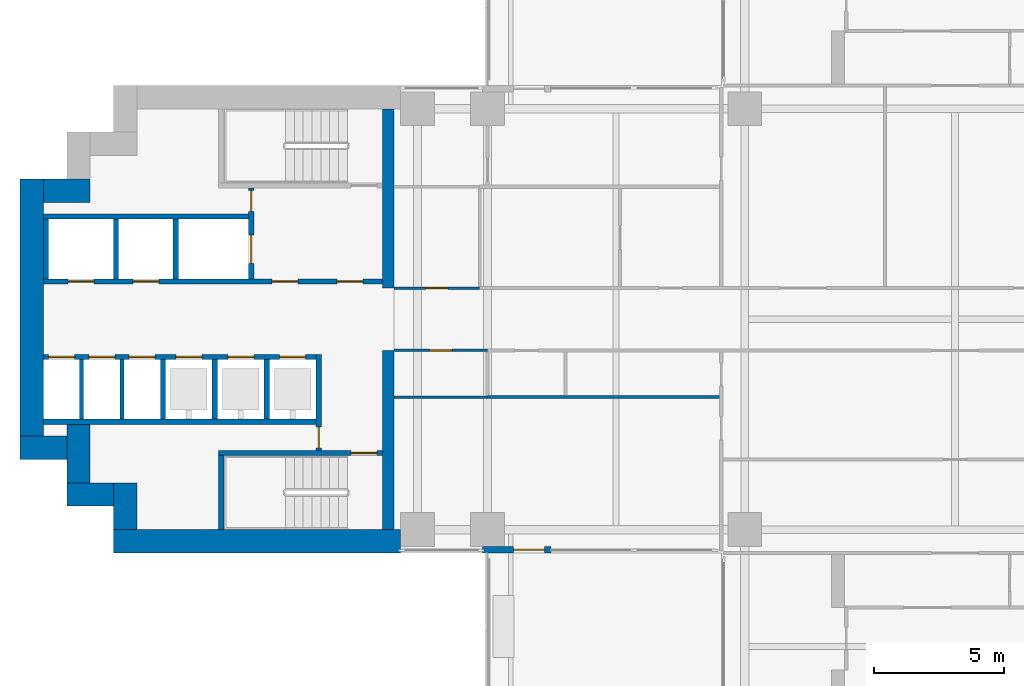
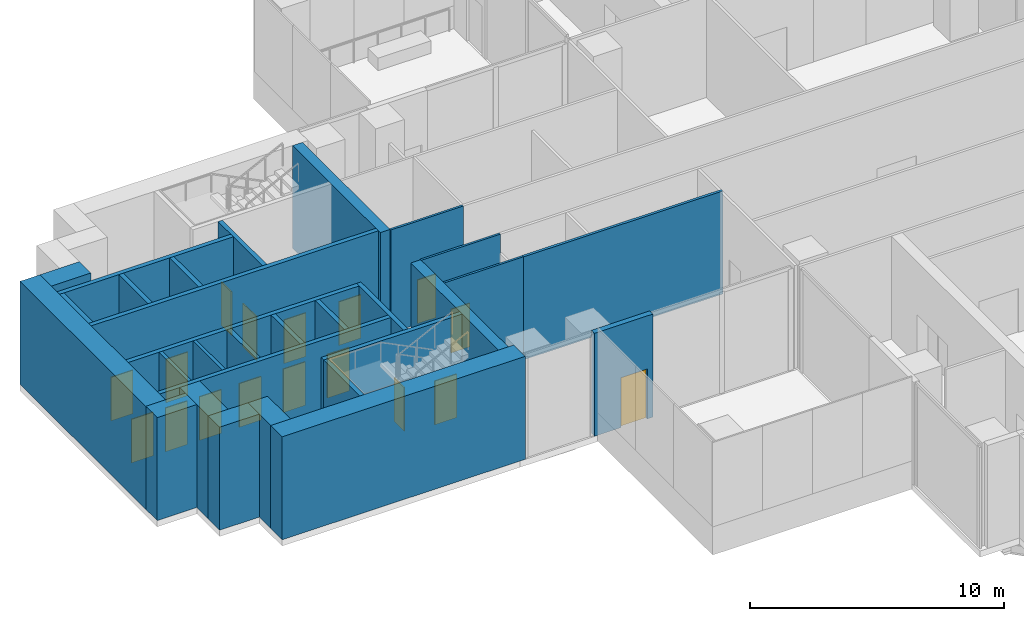
# One storey, part 7 of 17: 30 walls, 17 doors, 17 openings.
"""IFC4 building model written with IfcOpenShell, lengths in metres."""

import ifcopenshell
import ifcopenshell.guid

model = None  # the IFC model being written
_history = None  # IfcOwnerHistory: only IFC2X3 demands one
_inside = {}  # id of a spatial element -> (the spatial element, [elements in it])
_under = {}  # id of a project, library or spatial element -> (it, [spatial elements below it])
_declared = {}  # id of a project -> (the project, [libraries it declares])
_typed = {}  # id of a type object -> (the type object, [elements of that type])
_made_of = {}  # id of a material, layer set ... -> (it, [elements and type objects made of it])


def new_model(schema):
    """Start an empty IFC model of exactly this schema.

    Asked for "IFC4X3", IfcOpenShell would pick the latest addendum, in which some entities
    have other attributes; the version numbers below select the first issue.
    IFC2X3 requires an IfcOwnerHistory on every rooted entity: one is made here for all.
    """
    global model, _history
    if schema == "IFC4X3":
        model = ifcopenshell.file(schema_version=(4, 3, 0, 0))
    else:
        model = ifcopenshell.file(schema=schema)
    _inside.clear()
    _under.clear()
    _declared.clear()
    _typed.clear()
    _made_of.clear()
    _history = None
    if model.schema == "IFC2X3":
        org = make("IfcOrganization", Name="unknown")
        user = make(
            "IfcPersonAndOrganization",
            ThePerson=make("IfcPerson", FamilyName="unknown"),
            TheOrganization=org,
        )
        app = make(
            "IfcApplication",
            ApplicationDeveloper=org,
            Version="unknown",
            ApplicationFullName="unknown",
            ApplicationIdentifier="unknown",
        )
        _history = make(
            "IfcOwnerHistory",
            OwningUser=user,
            OwningApplication=app,
            ChangeAction="ADDED",
            CreationDate=0,
        )
    return model


def make(cls, **values):
    """One entity of the class cls with the attributes given. An attribute that is None is left unset."""
    return model.create_entity(
        cls, **{name: value for name, value in values.items() if value is not None}
    )


def rooted(cls, **values):
    """An entity with a GlobalId (a new one), such as an element, a storey or a relation."""
    return make(cls, GlobalId=ifcopenshell.guid.new(), OwnerHistory=_history, **values)


def si_unit(unit_type, name, prefix=None):
    """IfcSIUnit, for example si_unit("LENGTHUNIT", "METRE", prefix="MILLI")."""
    return make("IfcSIUnit", UnitType=unit_type, Prefix=prefix, Name=name)


def assignment(units):
    """IfcUnitAssignment: the units of a project."""
    return None if units is None else make("IfcUnitAssignment", Units=units)


def point(xyz):
    """IfcCartesianPoint."""
    return None if xyz is None else make("IfcCartesianPoint", Coordinates=xyz)


def direction(xyz):
    """IfcDirection."""
    return None if xyz is None else make("IfcDirection", DirectionRatios=xyz)


def frame(location, z_axis=None, x_axis=None):
    """IfcAxis2Placement3D, a coordinate frame: its origin and axes. An axis left out is left unset."""
    return make(
        "IfcAxis2Placement3D",
        Location=point(location),
        Axis=direction(z_axis),
        RefDirection=direction(x_axis),
    )


def frame_2d(location, x_axis=None):
    """IfcAxis2Placement2D, a coordinate frame in the plane: its origin and x axis."""
    return make(
        "IfcAxis2Placement2D", Location=point(location), RefDirection=direction(x_axis)
    )


def origin():
    """The frame at (0, 0, 0) with its axes left unset."""
    return frame((0.0, 0.0, 0.0))


def place(relative_to, where):
    """IfcLocalPlacement: puts the frame where relative to a parent placement (None: the world)."""
    return make(
        "IfcLocalPlacement", PlacementRelTo=relative_to, RelativePlacement=where
    )


def context(
    kind, dimensions, precision=None, world=None, true_north=None, identifier=None
):
    """IfcGeometricRepresentationContext, for example the 3D "Model" context."""
    return make(
        "IfcGeometricRepresentationContext",
        ContextIdentifier=identifier,
        ContextType=kind,
        CoordinateSpaceDimension=dimensions,
        Precision=precision,
        WorldCoordinateSystem=world,
        TrueNorth=true_north,
    )


def subcontext(parent, identifier, kind, view, scale=None):
    """IfcGeometricRepresentationSubContext, for example "Body" below "Model"."""
    return make(
        "IfcGeometricRepresentationSubContext",
        ContextIdentifier=identifier,
        ContextType=kind,
        ParentContext=parent,
        TargetScale=scale,
        TargetView=view,
    )


def project(units=None, contexts=None):
    """IfcProject with its units and contexts."""
    return rooted(
        "IfcProject",
        Name="project",
        RepresentationContexts=contexts,
        UnitsInContext=assignment(units),
    )


def spatial(cls, under=None, at=None, **own):
    """A site, building, storey or space (cls), placed at a placement, below another one or the project."""
    s = rooted(cls, ObjectPlacement=at, **own)
    if under is not None:
        _under.setdefault(under.id(), (under, []))[1].append(s)
    return s


def profile(cls, at=None, kind="AREA", **sizes):
    """A parametric profile (cls). Its sizes go by their IFC names, for example OverallWidth=200.0."""
    return make(cls, ProfileType=kind, Position=at, **sizes)


def rectangle(**sizes):
    """IfcRectangleProfileDef."""
    return profile("IfcRectangleProfileDef", **sizes)


def extrude(swept, where, along, depth):
    """IfcExtrudedAreaSolid: the profile swept, set in the frame where, extruded along a direction by depth."""
    return make(
        "IfcExtrudedAreaSolid",
        SweptArea=swept,
        Position=where,
        ExtrudedDirection=direction(along),
        Depth=depth,
    )


def shape(context_of_items, identifier, shape_type, items):
    """IfcShapeRepresentation: the items that make up one representation, for example the "Body"."""
    return make(
        "IfcShapeRepresentation",
        ContextOfItems=context_of_items,
        RepresentationIdentifier=identifier,
        RepresentationType=shape_type,
        Items=items,
    )


def material(Name=None, Category=None):
    """IfcMaterial."""
    return make("IfcMaterial", Name=Name, Category=Category)


def layer(
    of_material, thickness, ventilated=None, Name=None, Category=None, Priority=None
):
    """IfcMaterialLayer: one layer of a wall or slab, of a material (None: an air gap)."""
    return make(
        "IfcMaterialLayer",
        Material=of_material,
        LayerThickness=thickness,
        IsVentilated=ventilated,
        Name=Name,
        Category=Category,
        Priority=Priority,
    )


def layer_set(layers, Name=None):
    """IfcMaterialLayerSet."""
    return make("IfcMaterialLayerSet", MaterialLayers=layers, LayerSetName=Name)


def made_of(thing, what):
    """Note that an element or type object is made of a material, layer set ...; save() writes the relation."""
    if what is not None:
        _made_of.setdefault(what.id(), (what, []))[1].append(thing)
    return thing


def type_object(cls, material=None, **own):
    """A type object (cls), such as IfcWallType, which elements share."""
    return made_of(rooted(cls, **own), material)


def element(
    cls,
    number,
    at=None,
    inside=None,
    cuts=None,
    type_object=None,
    material=None,
    context=None,
    identifier="Body",
    shape_type=None,
    held_by="IfcProductDefinitionShape",
    body=None,
    shapes=None,
    **own,
):
    """One element of the class cls, such as IfcWall. Its Tag is "e" and its number.

    at: its placement. inside: the storey or other place that contains it. cuts: it is an
    opening in that element (IfcRelVoidsElement). A single representation is given by context,
    identifier, shape_type and body (its items); several are given by shapes. held_by: the class
    of the entity that holds the representations. save() writes the other relations.
    """
    e = rooted(cls, Tag="e%d" % number, ObjectPlacement=at, **own)
    if body is not None:
        shapes = [shape(context, identifier, shape_type, body)]
    if shapes is not None:
        e.Representation = make(held_by, Representations=shapes)
    if inside is not None:
        _inside.setdefault(inside.id(), (inside, []))[1].append(e)
    if cuts is not None:
        rooted(
            "IfcRelVoidsElement", RelatingBuildingElement=cuts, RelatedOpeningElement=e
        )
    if type_object is not None:
        _typed.setdefault(type_object.id(), (type_object, []))[1].append(e)
    return made_of(e, material)


def fill(opening, filler):
    """IfcRelFillsElement: the door or window that sits in an opening."""
    return rooted(
        "IfcRelFillsElement",
        RelatingOpeningElement=opening,
        RelatedBuildingElement=filler,
    )


def aggregate(whole, parts):
    """IfcRelAggregates: a whole, such as a stair, and the parts it consists of."""
    return rooted("IfcRelAggregates", RelatingObject=whole, RelatedObjects=parts)


def save(model, path):
    """Write the relations noted so far, then the file.

    IfcRelAggregates (storeys below a building ...), IfcRelContainedInSpatialStructure (elements
    in a storey), IfcRelDefinesByType, IfcRelAssociatesMaterial and IfcRelDeclares: one each for
    every whole, place, type object, material and project.
    """
    for whole, parts in _under.values():
        aggregate(whole, parts)
    for where, things in _inside.values():
        rooted(
            "IfcRelContainedInSpatialStructure",
            RelatedElements=things,
            RelatingStructure=where,
        )
    for kind, things in _typed.values():
        rooted("IfcRelDefinesByType", RelatedObjects=things, RelatingType=kind)
    for what, things in _made_of.values():
        rooted("IfcRelAssociatesMaterial", RelatedObjects=things, RelatingMaterial=what)
    for by, libraries in _declared.values():
        rooted("IfcRelDeclares", RelatingContext=by, RelatedDefinitions=libraries)
    model.write(path)


model = new_model("IFC4")

# Units and contexts
model_context = context("Model", 3, precision=1e-05, world=origin(), true_north=direction((0.0, 1.0)))
body_context = subcontext(model_context, "Body", "Model", "MODEL_VIEW")
ifc_project = project(units=[si_unit("LENGTHUNIT", "METRE"), si_unit("AREAUNIT", "SQUARE_METRE"), si_unit("VOLUMEUNIT", "CUBIC_METRE"), si_unit("PLANEANGLEUNIT", "RADIAN"), si_unit("MASSUNIT", "GRAM", prefix="KILO")], contexts=[model_context])

# Site, building, storey
site_placement = place(None, origin())
site = spatial("IfcSite", under=ifc_project, at=site_placement, CompositionType="ELEMENT")
building_placement = place(site_placement, origin())
building = spatial("IfcBuilding", under=site, at=building_placement, Name="Perihelion Cross Residences", CompositionType="ELEMENT")
storey_placement = place(building_placement, frame((0.0, 0.0, 92.5)))
storey = spatial("IfcBuildingStorey", under=building, at=storey_placement, Name="L21", CompositionType="ELEMENT", Elevation=92.5)

# Wall, opening, door
ifc_material_1 = material(Name="Concrete C30/37, bronze-clad", Category="concrete")
ifc_layer_1 = layer(ifc_material_1, 0.25)
ifc_layer_set_1 = layer_set([ifc_layer_1], Name="Bronze-clad pier wall 250")
wall_type_1 = type_object("IfcWallType", Name="Bronze-clad pier wall 250", PredefinedType="SOLIDWALL", material=ifc_layer_set_1)
wall_1_placement = place(storey_placement, frame((-18.199951171875, -8.875, 0.0), z_axis=(0.0, 0.0, 1.0), x_axis=(1.0, 0.0, 0.0)))
wall_1 = element("IfcWall", 1, at=wall_1_placement, inside=storey, type_object=wall_type_1, Name="Wall FW1 L21 west side south bay 2 pier", PredefinedType="SOLIDWALL", context=body_context, shape_type="SweptSolid", body=[
    extrude(rectangle(XDim=2.64990234375, YDim=0.25, at=frame_2d((1.324951171875, 0.0))), origin(), (0.0, 0.0, 1.0), 4.949951171875),
])
opening_1_placement = place(wall_1_placement, frame((1.199951171875, 0.0, 0.0)))
opening_1 = element("IfcOpeningElement", 2, at=opening_1_placement, cuts=wall_1, Name="Opening L21.E05", PredefinedType="OPENING", context=body_context, shape_type="SweptSolid", body=[
    extrude(rectangle(XDim=1.199951171875, YDim=2.39990234375, at=frame_2d((0.60009765625, 1.199951171875))), frame((0.0, 0.135009765625, 0.0), z_axis=(0.0, -1.0, 0.0), x_axis=(1.0, 0.0, 0.0)), (0.0, 0.0, 1.0), 0.27001953125),
])
ifc_material_2 = material(Name="Bronze anodised aluminium, glazed", Category="aluminium")
door_type_1 = type_object("IfcDoorType", Name="Balcony door 1200 x 2400", OperationType="NOTDEFINED", PredefinedType="DOOR", material=ifc_material_2)
door_1_placement = place(opening_1_placement, origin())
door_1 = element("IfcDoor", 3, at=door_1_placement, inside=storey, type_object=door_type_1, Name="Door L21.E05 west side south bay 2", OperationType="SINGLE_SWING_RIGHT", OverallHeight=2.39990234375, OverallWidth=1.199951171875, PredefinedType="DOOR", context=body_context, shape_type="SweptSolid", body=[
    extrude(rectangle(XDim=1.199951171875, YDim=2.39990234375, at=frame_2d((0.60009765625, 1.199951171875))), frame((0.0, 0.02490234375, 0.0), z_axis=(0.0, -1.0, 0.0), x_axis=(1.0, 0.0, 0.0)), (0.0, 0.0, 1.0), 0.050048828125),
])
fill(opening_1, door_1)

# Walls
ifc_material_3 = material(Name="Concrete C60/75", Category="concrete")
ifc_layer_2 = layer(ifc_material_3, 0.449951171875)
ifc_layer_set_2 = layer_set([ifc_layer_2], Name="Core wall, inner 450")
wall_type_2 = type_object("IfcWallType", Name="Core wall, inner 450", PredefinedType="SHEAR", material=ifc_layer_set_2)
for number, where, z_axis, x_axis, name in (
    (4, (-21.824951171875, -8.10009765625, 0.0), (0.0, 0.0, 1.0), (0.0, 1.0, 0.0), "West core core wall, inner"),
    (5, (-21.824951171875, 1.199951171875, 0.0), (0.0, 0.0, 1.0), (0.0, 1.0, 0.0), "West core core wall, inner"),
):
    element("IfcWall", number, at=place(storey_placement, frame(where, z_axis=z_axis, x_axis=x_axis)), inside=storey, type_object=wall_type_2, Name=name, PredefinedType="SHEAR", context=body_context, shape_type="SweptSolid", body=[
        extrude(rectangle(XDim=6.900146484375, YDim=0.449951171875, at=frame_2d((3.4501953125, 0.0))), origin(), (0.0, 0.0, 1.0), 4.949951171875),
    ])
ifc_material_4 = material(Name="Concrete C60/75", Category="concrete")
ifc_layer_3 = layer(ifc_material_4, 0.89990234375)
ifc_layer_set_3 = layer_set([ifc_layer_3], Name="Core wall, outer 900")
wall_type_3 = type_object("IfcWallType", Name="Core wall, outer 900", PredefinedType="SHEAR", material=ifc_layer_set_3)
wall_2_placement = place(storey_placement, frame((-32.39990234375, -8.550048828125, 0.0), z_axis=(0.0, 0.0, 1.0), x_axis=(1.0, 0.0, 0.0)))
element("IfcWall", 6, at=wall_2_placement, inside=storey, type_object=wall_type_3, Name="West core core wall, outer", PredefinedType="SHEAR", context=body_context, shape_type="SweptSolid", body=[
    extrude(rectangle(XDim=11.0498046875, YDim=0.89990234375, at=frame_2d((5.52490234375, 0.0))), origin(), (0.0, 0.0, 1.0), 4.949951171875),
])
for number, where, z_axis, x_axis, name in (
    (7, (-31.949951171875, -8.10009765625, 0.0), (0.0, 0.0, 1.0), (0.0, 1.0, 0.0), "West core core wall, outer"),
    (8, (-34.199951171875, -6.75, 0.0), (0.0, 0.0, 1.0), (1.0, 0.0, 0.0), "West core core wall, outer"),
):
    element("IfcWall", number, at=place(storey_placement, frame(where, z_axis=z_axis, x_axis=x_axis)), inside=storey, type_object=wall_type_3, Name=name, PredefinedType="SHEAR", context=body_context, shape_type="SweptSolid", body=[
        extrude(rectangle(XDim=1.800048828125, YDim=0.89990234375, at=frame_2d((0.89990234375, 0.0))), origin(), (0.0, 0.0, 1.0), 4.949951171875),
    ])
wall_3_placement = place(storey_placement, frame((-33.75, -6.300048828125, 0.0), z_axis=(0.0, 0.0, 1.0), x_axis=(0.0, 1.0, 0.0)))
element("IfcWall", 9, at=wall_3_placement, inside=storey, type_object=wall_type_3, Name="West core core wall, outer", PredefinedType="SHEAR", context=body_context, shape_type="SweptSolid", body=[
    extrude(rectangle(XDim=2.25, YDim=0.89990234375, at=frame_2d((1.125, 0.0))), origin(), (0.0, 0.0, 1.0), 4.949951171875),
])
wall_4_placement = place(storey_placement, frame((-36.0, -4.949951171875, 0.0), z_axis=(0.0, 0.0, 1.0), x_axis=(1.0, 0.0, 0.0)))
element("IfcWall", 10, at=wall_4_placement, inside=storey, type_object=wall_type_3, Name="West core core wall, outer", PredefinedType="SHEAR", context=body_context, shape_type="SweptSolid", body=[
    extrude(rectangle(XDim=1.800048828125, YDim=0.89990234375, at=frame_2d((0.89990234375, 0.0))), origin(), (0.0, 0.0, 1.0), 4.949951171875),
])
wall_5_placement = place(storey_placement, frame((-35.550048828125, -4.5, 0.0), z_axis=(0.0, 0.0, 1.0), x_axis=(0.0, 1.0, 0.0)))
element("IfcWall", 11, at=wall_5_placement, inside=storey, type_object=wall_type_3, Name="West core core wall, outer", PredefinedType="SHEAR", context=body_context, shape_type="SweptSolid", body=[
    extrude(rectangle(XDim=9.89990234375, YDim=0.89990234375, at=frame_2d((4.949951171875, 0.0))), origin(), (0.0, 0.0, 1.0), 4.949951171875),
])
wall_6_placement = place(storey_placement, frame((-35.10009765625, 4.949951171875, 0.0), z_axis=(0.0, 0.0, 1.0), x_axis=(1.0, 0.0, 0.0)))
element("IfcWall", 12, at=wall_6_placement, inside=storey, type_object=wall_type_3, Name="West core core wall, outer", PredefinedType="SHEAR", context=body_context, shape_type="SweptSolid", body=[
    extrude(rectangle(XDim=1.800048828125, YDim=0.89990234375, at=frame_2d((0.89990234375, 0.0))), origin(), (0.0, 0.0, 1.0), 4.949951171875),
])

# Wall, opening, door
ifc_material_5 = material(Name="Concrete C50/60", Category="concrete")
ifc_layer_4 = layer(ifc_material_5, 0.199951171875)
ifc_layer_set_4 = layer_set([ifc_layer_4], Name="Lobby wall 200")
wall_type_4 = type_object("IfcWallType", Name="Lobby wall 200", PredefinedType="SOLIDWALL", material=ifc_layer_set_4)
wall_7_placement = place(storey_placement, frame((-24.5, -5.050048828125, 0.0), z_axis=(0.0, 0.0, 1.0), x_axis=(0.0, 1.0, 0.0)))
wall_7 = element("IfcWall", 13, at=wall_7_placement, inside=storey, type_object=wall_type_4, Name="West core lobby wall", PredefinedType="SOLIDWALL", context=body_context, shape_type="SweptSolid", body=[
    extrude(rectangle(XDim=3.699951171875, YDim=0.199951171875, at=frame_2d((1.85009765625, 0.0))), origin(), (0.0, 0.0, 1.0), 4.949951171875),
])
opening_2_placement = place(wall_7_placement, frame((0.10009765625, 0.0, 0.0)))
opening_2 = element("IfcOpeningElement", 14, at=opening_2_placement, cuts=wall_7, Name="Opening L21.C28", PredefinedType="OPENING", context=body_context, shape_type="SweptSolid", body=[
    extrude(rectangle(XDim=0.800048828125, YDim=2.10009765625, at=frame_2d((0.39990234375, 1.050048828125))), frame((0.0, 0.10986328125, 0.0), z_axis=(0.0, -1.0, 0.0), x_axis=(1.0, 0.0, 0.0)), (0.0, 0.0, 1.0), 0.219970703125),
])
ifc_material_6 = material(Name="Steel, powder coated", Category="steel")
door_type_2 = type_object("IfcDoorType", Name="Riser door 800", OperationType="SINGLE_SWING_LEFT", PredefinedType="DOOR", material=ifc_material_6)
door_2_placement = place(opening_2_placement, origin())
door_2 = element("IfcDoor", 15, at=door_2_placement, inside=storey, type_object=door_type_2, Name="West core riser door", OperationType="SINGLE_SWING_LEFT", OverallHeight=2.10009765625, OverallWidth=0.800048828125, PredefinedType="DOOR", context=body_context, shape_type="SweptSolid", body=[
    extrude(rectangle(XDim=0.800048828125, YDim=2.10009765625, at=frame_2d((0.39990234375, 1.050048828125))), frame((0.0, 0.02490234375, 0.0), z_axis=(0.0, -1.0, 0.0), x_axis=(1.0, 0.0, 0.0)), (0.0, 0.0, 1.0), 0.050048828125),
])
fill(opening_2, door_2)

# Walls
ifc_material_7 = material(Name="Plasterboard partition")
ifc_layer_5 = layer(ifc_material_7, 0.1201171875)
ifc_layer_set_5 = layer_set([ifc_layer_5], Name="Partition wall 120")
wall_type_5 = type_object("IfcWallType", Name="Partition wall 120", PredefinedType="PARTITIONING", material=ifc_layer_set_5)
wall_8_placement = place(storey_placement, frame((-18.0, -3.0, 0.0), z_axis=(0.0, 0.0, 1.0), x_axis=(1.0, 0.0, 0.0)))
element("IfcWall", 16, at=wall_8_placement, inside=storey, type_object=wall_type_5, Name="Partition L21 W034", PredefinedType="PARTITIONING", context=body_context, shape_type="SweptSolid", body=[
    extrude(rectangle(XDim=9.06005859375, YDim=0.1201171875, at=frame_2d((4.530029296875, 0.0))), origin(), (0.0, 0.0, 1.0), 4.949951171875),
])
ifc_material_8 = material(Name="Concrete C50/60", Category="concrete")
ifc_layer_6 = layer(ifc_material_8, 0.14990234375)
ifc_layer_set_6 = layer_set([ifc_layer_6], Name="Shaft wall 150")
wall_type_6 = type_object("IfcWallType", Name="Shaft wall 150", PredefinedType="SOLIDWALL", material=ifc_layer_set_6)
for number, where, z_axis, x_axis, name in (
    (17, (-32.074951171875, -3.85009765625, 0.0), (0.0, 0.0, 1.0), (0.0, 1.0, 0.0), "West core shaft wall"),
    (18, (-33.625, -3.85009765625, 0.0), (0.0, 0.0, 1.0), (0.0, 1.0, 0.0), "West core shaft wall"),
):
    element("IfcWall", number, at=place(storey_placement, frame(where, z_axis=z_axis, x_axis=x_axis)), inside=storey, type_object=wall_type_6, Name=name, PredefinedType="SOLIDWALL", context=body_context, shape_type="SweptSolid", body=[
        extrude(rectangle(XDim=2.300048828125, YDim=0.14990234375, at=frame_2d((1.14990234375, 0.0))), origin(), (0.0, 0.0, 1.0), 4.949951171875),
    ])

# Wall, openings, doors
ifc_material_9 = material(Name="Concrete C50/60", Category="concrete")
ifc_layer_7 = layer(ifc_material_9, 0.199951171875)
ifc_layer_set_7 = layer_set([ifc_layer_7], Name="Shaft wall 200")
wall_type_7 = type_object("IfcWallType", Name="Shaft wall 200", PredefinedType="SOLIDWALL", material=ifc_layer_set_7)
wall_9_placement = place(storey_placement, frame((-35.10009765625, 1.449951171875, 0.0), z_axis=(0.0, 0.0, 1.0), x_axis=(1.0, 0.0, 0.0)))
wall_9 = element("IfcWall", 19, at=wall_9_placement, inside=storey, type_object=wall_type_7, Name="West core shaft wall", PredefinedType="SOLIDWALL", context=body_context, shape_type="SweptSolid", body=[
    extrude(rectangle(XDim=13.050048828125, YDim=0.199951171875, at=frame_2d((6.52490234375, 0.0))), origin(), (0.0, 0.0, 1.0), 4.949951171875),
])
opening_3_placement = place(wall_9_placement, frame((3.449951171875, 0.0, 0.0)))
opening_3 = element("IfcOpeningElement", 20, at=opening_3_placement, cuts=wall_9, Name="Opening L21.C20", PredefinedType="OPENING", context=body_context, shape_type="SweptSolid", body=[
    extrude(rectangle(XDim=1.0, YDim=2.10009765625, at=frame_2d((0.5, 1.050048828125))), frame((0.0, 0.10986328125, 0.0), z_axis=(0.0, -1.0, 0.0), x_axis=(1.0, 0.0, 0.0)), (0.0, 0.0, 1.0), 0.219970703125),
])
opening_4_placement = place(wall_9_placement, frame((0.949951171875, 0.0, 0.0)))
opening_4 = element("IfcOpeningElement", 21, at=opening_4_placement, cuts=wall_9, Name="Opening L21.C23", PredefinedType="OPENING", context=body_context, shape_type="SweptSolid", body=[
    extrude(rectangle(XDim=1.0, YDim=2.10009765625, at=frame_2d((0.5, 1.050048828125))), frame((0.0, 0.10986328125, 0.0), z_axis=(0.0, -1.0, 0.0), x_axis=(1.0, 0.0, 0.0)), (0.0, 0.0, 1.0), 0.219970703125),
])
opening_5_placement = place(wall_9_placement, frame((11.300048828125, 0.0, 0.0)))
opening_5 = element("IfcOpeningElement", 22, at=opening_5_placement, cuts=wall_9, Name="Opening L21.C27", PredefinedType="OPENING", context=body_context, shape_type="SweptSolid", body=[
    extrude(rectangle(XDim=1.0, YDim=2.10009765625, at=frame_2d((0.5, 1.050048828125))), frame((0.0, 0.10986328125, 0.0), z_axis=(0.0, -1.0, 0.0), x_axis=(1.0, 0.0, 0.0)), (0.0, 0.0, 1.0), 0.219970703125),
])
opening_6_placement = place(wall_9_placement, frame((8.800048828125, 0.0, 0.0)))
opening_6 = element("IfcOpeningElement", 23, at=opening_6_placement, cuts=wall_9, Name="Opening L21.C29", PredefinedType="OPENING", context=body_context, shape_type="SweptSolid", body=[
    extrude(rectangle(XDim=1.0, YDim=2.10009765625, at=frame_2d((0.5, 1.050048828125))), frame((0.0, 0.10986328125, 0.0), z_axis=(0.0, -1.0, 0.0), x_axis=(1.0, 0.0, 0.0)), (0.0, 0.0, 1.0), 0.219970703125),
])
ifc_material_10 = material(Name="Stainless steel", Category="steel")
door_type_3 = type_object("IfcDoorType", Name="Landing door 1000", OperationType="DOUBLE_DOOR_SLIDING", PredefinedType="DOOR", material=ifc_material_10)
door_3_placement = place(opening_3_placement, origin())
door_3 = element("IfcDoor", 24, at=door_3_placement, inside=storey, type_object=door_type_3, Name="Landing door, West core shuttle lift 1", OperationType="DOUBLE_DOOR_SLIDING", OverallHeight=2.10009765625, OverallWidth=1.0, PredefinedType="DOOR", context=body_context, shape_type="SweptSolid", body=[
    extrude(rectangle(XDim=1.0, YDim=2.10009765625, at=frame_2d((0.5, 1.050048828125))), frame((0.0, 0.02490234375, 0.0), z_axis=(0.0, -1.0, 0.0), x_axis=(1.0, 0.0, 0.0)), (0.0, 0.0, 1.0), 0.050048828125),
])
fill(opening_3, door_3)
door_4_placement = place(opening_4_placement, origin())
door_4 = element("IfcDoor", 25, at=door_4_placement, inside=storey, type_object=door_type_3, Name="Landing door, West core shuttle lift 2", OperationType="DOUBLE_DOOR_SLIDING", OverallHeight=2.10009765625, OverallWidth=1.0, PredefinedType="DOOR", context=body_context, shape_type="SweptSolid", body=[
    extrude(rectangle(XDim=1.0, YDim=2.10009765625, at=frame_2d((0.5, 1.050048828125))), frame((0.0, 0.02490234375, 0.0), z_axis=(0.0, -1.0, 0.0), x_axis=(1.0, 0.0, 0.0)), (0.0, 0.0, 1.0), 0.050048828125),
])
fill(opening_4, door_4)
ifc_material_11 = material(Name="Steel, powder coated", Category="steel")
door_type_4 = type_object("IfcDoorType", Name="Lobby door 1000", OperationType="SINGLE_SWING_LEFT", PredefinedType="DOOR", material=ifc_material_11)
door_5_placement = place(opening_5_placement, origin())
door_5 = element("IfcDoor", 26, at=door_5_placement, inside=storey, type_object=door_type_4, Name="West core firefighting lobby door", OperationType="SINGLE_SWING_LEFT", OverallHeight=2.10009765625, OverallWidth=1.0, PredefinedType="DOOR", context=body_context, shape_type="SweptSolid", body=[
    extrude(rectangle(XDim=1.0, YDim=2.10009765625, at=frame_2d((0.5, 1.050048828125))), frame((0.0, 0.02490234375, 0.0), z_axis=(0.0, -1.0, 0.0), x_axis=(1.0, 0.0, 0.0)), (0.0, 0.0, 1.0), 0.050048828125),
])
fill(opening_5, door_5)
door_6_placement = place(opening_6_placement, origin())
door_6 = element("IfcDoor", 27, at=door_6_placement, inside=storey, type_object=door_type_4, Name="West core firefighting lobby door", OperationType="SINGLE_SWING_LEFT", OverallHeight=2.10009765625, OverallWidth=1.0, PredefinedType="DOOR", context=body_context, shape_type="SweptSolid", body=[
    extrude(rectangle(XDim=1.0, YDim=2.10009765625, at=frame_2d((0.5, 1.050048828125))), frame((0.0, 0.02490234375, 0.0), z_axis=(0.0, -1.0, 0.0), x_axis=(1.0, 0.0, 0.0)), (0.0, 0.0, 1.0), 0.050048828125),
])
fill(opening_6, door_6)

wall_10_placement = place(storey_placement, frame((-35.10009765625, -1.449951171875, 0.0), z_axis=(0.0, 0.0, 1.0), x_axis=(1.0, 0.0, 0.0)))
wall_10 = element("IfcWall", 28, at=wall_10_placement, inside=storey, type_object=wall_type_7, Name="West core shaft wall", PredefinedType="SOLIDWALL", context=body_context, shape_type="SweptSolid", body=[
    extrude(rectangle(XDim=10.5, YDim=0.199951171875, at=frame_2d((5.25, 0.0))), origin(), (0.0, 0.0, 1.0), 4.949951171875),
])
opening_7_placement = place(wall_10_placement, frame((9.10009765625, 0.0, 0.0)))
opening_7 = element("IfcOpeningElement", 29, at=opening_7_placement, cuts=wall_10, Name="Opening L21.C16", PredefinedType="OPENING", context=body_context, shape_type="SweptSolid", body=[
    extrude(rectangle(XDim=1.0, YDim=2.10009765625, at=frame_2d((0.5, 1.050048828125))), frame((0.0, 0.10986328125, 0.0), z_axis=(0.0, -1.0, 0.0), x_axis=(1.0, 0.0, 0.0)), (0.0, 0.0, 1.0), 0.219970703125),
])
opening_8_placement = place(wall_10_placement, frame((7.10009765625, 0.0, 0.0)))
opening_8 = element("IfcOpeningElement", 30, at=opening_8_placement, cuts=wall_10, Name="Opening L21.C18", PredefinedType="OPENING", context=body_context, shape_type="SweptSolid", body=[
    extrude(rectangle(XDim=1.0, YDim=2.10009765625, at=frame_2d((0.5, 1.050048828125))), frame((0.0, 0.10986328125, 0.0), z_axis=(0.0, -1.0, 0.0), x_axis=(1.0, 0.0, 0.0)), (0.0, 0.0, 1.0), 0.219970703125),
])
opening_9_placement = place(wall_10_placement, frame((5.10009765625, 0.0, 0.0)))
opening_9 = element("IfcOpeningElement", 31, at=opening_9_placement, cuts=wall_10, Name="Opening L21.C19", PredefinedType="OPENING", context=body_context, shape_type="SweptSolid", body=[
    extrude(rectangle(XDim=1.0, YDim=2.10009765625, at=frame_2d((0.5, 1.050048828125))), frame((0.0, 0.10986328125, 0.0), z_axis=(0.0, -1.0, 0.0), x_axis=(1.0, 0.0, 0.0)), (0.0, 0.0, 1.0), 0.219970703125),
])
opening_10_placement = place(wall_10_placement, frame((3.300048828125, 0.0, 0.0)))
opening_10 = element("IfcOpeningElement", 32, at=opening_10_placement, cuts=wall_10, Name="Opening L21.C21", PredefinedType="OPENING", context=body_context, shape_type="SweptSolid", body=[
    extrude(rectangle(XDim=1.0, YDim=2.10009765625, at=frame_2d((0.5, 1.050048828125))), frame((0.0, 0.10986328125, 0.0), z_axis=(0.0, -1.0, 0.0), x_axis=(1.0, 0.0, 0.0)), (0.0, 0.0, 1.0), 0.219970703125),
])
opening_11_placement = place(wall_10_placement, frame((1.75, 0.0, 0.0)))
opening_11 = element("IfcOpeningElement", 33, at=opening_11_placement, cuts=wall_10, Name="Opening L21.C22", PredefinedType="OPENING", context=body_context, shape_type="SweptSolid", body=[
    extrude(rectangle(XDim=1.0, YDim=2.10009765625, at=frame_2d((0.5, 1.050048828125))), frame((0.0, 0.10986328125, 0.0), z_axis=(0.0, -1.0, 0.0), x_axis=(1.0, 0.0, 0.0)), (0.0, 0.0, 1.0), 0.219970703125),
])
opening_12_placement = place(wall_10_placement, frame((0.199951171875, 0.0, 0.0)))
opening_12 = element("IfcOpeningElement", 34, at=opening_12_placement, cuts=wall_10, Name="Opening L21.C24", PredefinedType="OPENING", context=body_context, shape_type="SweptSolid", body=[
    extrude(rectangle(XDim=1.0, YDim=2.10009765625, at=frame_2d((0.5, 1.050048828125))), frame((0.0, 0.10986328125, 0.0), z_axis=(0.0, -1.0, 0.0), x_axis=(1.0, 0.0, 0.0)), (0.0, 0.0, 1.0), 0.219970703125),
])
door_7_placement = place(opening_7_placement, origin())
door_7 = element("IfcDoor", 35, at=door_7_placement, inside=storey, type_object=door_type_3, Name="Landing door, West core high-rise lift 1", OperationType="DOUBLE_DOOR_SLIDING", OverallHeight=2.10009765625, OverallWidth=1.0, PredefinedType="DOOR", context=body_context, shape_type="SweptSolid", body=[
    extrude(rectangle(XDim=1.0, YDim=2.10009765625, at=frame_2d((0.5, 1.050048828125))), frame((0.0, 0.02490234375, 0.0), z_axis=(0.0, -1.0, 0.0), x_axis=(1.0, 0.0, 0.0)), (0.0, 0.0, 1.0), 0.050048828125),
])
fill(opening_7, door_7)
door_8_placement = place(opening_8_placement, origin())
door_8 = element("IfcDoor", 36, at=door_8_placement, inside=storey, type_object=door_type_3, Name="Landing door, West core high-rise lift 2", OperationType="DOUBLE_DOOR_SLIDING", OverallHeight=2.10009765625, OverallWidth=1.0, PredefinedType="DOOR", context=body_context, shape_type="SweptSolid", body=[
    extrude(rectangle(XDim=1.0, YDim=2.10009765625, at=frame_2d((0.5, 1.050048828125))), frame((0.0, 0.02490234375, 0.0), z_axis=(0.0, -1.0, 0.0), x_axis=(1.0, 0.0, 0.0)), (0.0, 0.0, 1.0), 0.050048828125),
])
fill(opening_8, door_8)
door_9_placement = place(opening_9_placement, origin())
door_9 = element("IfcDoor", 37, at=door_9_placement, inside=storey, type_object=door_type_3, Name="Landing door, West core high-rise lift 3", OperationType="DOUBLE_DOOR_SLIDING", OverallHeight=2.10009765625, OverallWidth=1.0, PredefinedType="DOOR", context=body_context, shape_type="SweptSolid", body=[
    extrude(rectangle(XDim=1.0, YDim=2.10009765625, at=frame_2d((0.5, 1.050048828125))), frame((0.0, 0.02490234375, 0.0), z_axis=(0.0, -1.0, 0.0), x_axis=(1.0, 0.0, 0.0)), (0.0, 0.0, 1.0), 0.050048828125),
])
fill(opening_9, door_9)
door_10_placement = place(opening_10_placement, origin())
door_10 = element("IfcDoor", 38, at=door_10_placement, inside=storey, type_object=door_type_3, Name="Landing door, West core low-rise lift 1", OperationType="DOUBLE_DOOR_SLIDING", OverallHeight=2.10009765625, OverallWidth=1.0, PredefinedType="DOOR", context=body_context, shape_type="SweptSolid", body=[
    extrude(rectangle(XDim=1.0, YDim=2.10009765625, at=frame_2d((0.5, 1.050048828125))), frame((0.0, 0.02490234375, 0.0), z_axis=(0.0, -1.0, 0.0), x_axis=(1.0, 0.0, 0.0)), (0.0, 0.0, 1.0), 0.050048828125),
])
fill(opening_10, door_10)
door_11_placement = place(opening_11_placement, origin())
door_11 = element("IfcDoor", 39, at=door_11_placement, inside=storey, type_object=door_type_3, Name="Landing door, West core low-rise lift 2", OperationType="DOUBLE_DOOR_SLIDING", OverallHeight=2.10009765625, OverallWidth=1.0, PredefinedType="DOOR", context=body_context, shape_type="SweptSolid", body=[
    extrude(rectangle(XDim=1.0, YDim=2.10009765625, at=frame_2d((0.5, 1.050048828125))), frame((0.0, 0.02490234375, 0.0), z_axis=(0.0, -1.0, 0.0), x_axis=(1.0, 0.0, 0.0)), (0.0, 0.0, 1.0), 0.050048828125),
])
fill(opening_11, door_11)
door_12_placement = place(opening_12_placement, origin())
door_12 = element("IfcDoor", 40, at=door_12_placement, inside=storey, type_object=door_type_3, Name="Landing door, West core low-rise lift 3", OperationType="DOUBLE_DOOR_SLIDING", OverallHeight=2.10009765625, OverallWidth=1.0, PredefinedType="DOOR", context=body_context, shape_type="SweptSolid", body=[
    extrude(rectangle(XDim=1.0, YDim=2.10009765625, at=frame_2d((0.5, 1.050048828125))), frame((0.0, 0.02490234375, 0.0), z_axis=(0.0, -1.0, 0.0), x_axis=(1.0, 0.0, 0.0)), (0.0, 0.0, 1.0), 0.050048828125),
])
fill(opening_12, door_12)

# Walls
wall_11_placement = place(storey_placement, frame((-35.10009765625, 3.949951171875, 0.0), z_axis=(0.0, 0.0, 1.0), x_axis=(1.0, 0.0, 0.0)))
element("IfcWall", 41, at=wall_11_placement, inside=storey, type_object=wall_type_7, Name="West core shaft wall", PredefinedType="SOLIDWALL", context=body_context, shape_type="SweptSolid", body=[
    extrude(rectangle(XDim=7.900146484375, YDim=0.199951171875, at=frame_2d((3.9501953125, 0.0))), origin(), (0.0, 0.0, 1.0), 4.949951171875),
])
wall_12_placement = place(storey_placement, frame((-35.10009765625, -3.949951171875, 0.0), z_axis=(0.0, 0.0, 1.0), x_axis=(1.0, 0.0, 0.0)))
element("IfcWall", 42, at=wall_12_placement, inside=storey, type_object=wall_type_7, Name="West core shaft wall", PredefinedType="SOLIDWALL", context=body_context, shape_type="SweptSolid", body=[
    extrude(rectangle(XDim=10.5, YDim=0.199951171875, at=frame_2d((5.25, 0.0))), origin(), (0.0, 0.0, 1.0), 4.949951171875),
])

# Wall, openings, doors
wall_13_placement = place(storey_placement, frame((-27.10009765625, 1.550048828125, 0.0), z_axis=(0.0, 0.0, 1.0), x_axis=(0.0, 1.0, 0.0)))
wall_13 = element("IfcWall", 43, at=wall_13_placement, inside=storey, type_object=wall_type_7, Name="West core shaft wall", PredefinedType="SOLIDWALL", context=body_context, shape_type="SweptSolid", body=[
    extrude(rectangle(XDim=3.5, YDim=0.199951171875, at=frame_2d((1.75, 0.0))), origin(), (0.0, 0.0, 1.0), 4.949951171875),
])
opening_13_placement = place(wall_13_placement, frame((0.60009765625, 0.0, 0.0)))
opening_13 = element("IfcOpeningElement", 44, at=opening_13_placement, cuts=wall_13, Name="Opening L21.C17", PredefinedType="OPENING", context=body_context, shape_type="SweptSolid", body=[
    extrude(rectangle(XDim=1.10009765625, YDim=2.10009765625, at=frame_2d((0.550048828125, 1.050048828125))), frame((0.0, 0.10986328125, 0.0), z_axis=(0.0, -1.0, 0.0), x_axis=(1.0, 0.0, 0.0)), (0.0, 0.0, 1.0), 0.219970703125),
])
opening_14_placement = place(wall_13_placement, frame((2.60009765625, 0.0, 0.0)))
opening_14 = element("IfcOpeningElement", 45, at=opening_14_placement, cuts=wall_13, Name="Opening L21.C30", PredefinedType="OPENING", context=body_context, shape_type="SweptSolid", body=[
    extrude(rectangle(XDim=0.800048828125, YDim=2.10009765625, at=frame_2d((0.39990234375, 1.050048828125))), frame((0.0, 0.10986328125, 0.0), z_axis=(0.0, -1.0, 0.0), x_axis=(1.0, 0.0, 0.0)), (0.0, 0.0, 1.0), 0.219970703125),
])
ifc_material_12 = material(Name="Stainless steel", Category="steel")
door_type_5 = type_object("IfcDoorType", Name="Landing door, firefighting lift 1100", OperationType="DOUBLE_DOOR_SLIDING", PredefinedType="DOOR", material=ifc_material_12)
door_13_placement = place(opening_13_placement, origin())
door_13 = element("IfcDoor", 46, at=door_13_placement, inside=storey, type_object=door_type_5, Name="Landing door, West core firefighting and service lift", OperationType="DOUBLE_DOOR_SLIDING", OverallHeight=2.10009765625, OverallWidth=1.10009765625, PredefinedType="DOOR", context=body_context, shape_type="SweptSolid", body=[
    extrude(rectangle(XDim=1.10009765625, YDim=2.10009765625, at=frame_2d((0.550048828125, 1.050048828125))), frame((0.0, 0.02490234375, 0.0), z_axis=(0.0, -1.0, 0.0), x_axis=(1.0, 0.0, 0.0)), (0.0, 0.0, 1.0), 0.050048828125),
])
fill(opening_13, door_13)
door_14_placement = place(opening_14_placement, origin())
door_14 = element("IfcDoor", 47, at=door_14_placement, inside=storey, type_object=door_type_2, Name="West core riser door", OperationType="SINGLE_SWING_LEFT", OverallHeight=2.10009765625, OverallWidth=0.800048828125, PredefinedType="DOOR", context=body_context, shape_type="SweptSolid", body=[
    extrude(rectangle(XDim=0.800048828125, YDim=2.10009765625, at=frame_2d((0.39990234375, 1.050048828125))), frame((0.0, 0.02490234375, 0.0), z_axis=(0.0, -1.0, 0.0), x_axis=(1.0, 0.0, 0.0)), (0.0, 0.0, 1.0), 0.050048828125),
])
fill(opening_14, door_14)

# Walls
for number, where, z_axis, x_axis, name in (
    (48, (-30.0, 1.550048828125, 0.0), (0.0, 0.0, 1.0), (0.0, 1.0, 0.0), "West core shaft wall"),
    (49, (-32.300048828125, 1.550048828125, 0.0), (0.0, 0.0, 1.0), (0.0, 1.0, 0.0), "West core shaft wall"),
    (50, (-35.0, 1.550048828125, 0.0), (0.0, 0.0, 1.0), (0.0, 1.0, 0.0), "West core shaft wall"),
    (51, (-26.5, -3.85009765625, 0.0), (0.0, 0.0, 1.0), (0.0, 1.0, 0.0), "West core shaft wall"),
    (52, (-28.5, -3.85009765625, 0.0), (0.0, 0.0, 1.0), (0.0, 1.0, 0.0), "West core shaft wall"),
    (53, (-30.5, -3.85009765625, 0.0), (0.0, 0.0, 1.0), (0.0, 1.0, 0.0), "West core shaft wall"),
):
    element("IfcWall", number, at=place(storey_placement, frame(where, z_axis=z_axis, x_axis=x_axis)), inside=storey, type_object=wall_type_7, Name=name, PredefinedType="SOLIDWALL", context=body_context, shape_type="SweptSolid", body=[
        extrude(rectangle(XDim=2.300048828125, YDim=0.199951171875, at=frame_2d((1.14990234375, 0.0))), origin(), (0.0, 0.0, 1.0), 4.949951171875),
    ])

# Wall, opening, door
ifc_material_13 = material(Name="Concrete C50/60", Category="concrete")
ifc_layer_8 = layer(ifc_material_13, 0.199951171875)
ifc_layer_set_8 = layer_set([ifc_layer_8], Name="Stair wall 200")
wall_type_8 = type_object("IfcWallType", Name="Stair wall 200", PredefinedType="SOLIDWALL", material=ifc_layer_set_8)
wall_14_placement = place(storey_placement, frame((-28.35009765625, -5.14990234375, 0.0), z_axis=(0.0, 0.0, 1.0), x_axis=(1.0, 0.0, 0.0)))
wall_14 = element("IfcWall", 54, at=wall_14_placement, inside=storey, type_object=wall_type_8, Name="West core stair wall", PredefinedType="SOLIDWALL", context=body_context, shape_type="SweptSolid", body=[
    extrude(rectangle(XDim=6.300048828125, YDim=0.199951171875, at=frame_2d((3.14990234375, 0.0))), origin(), (0.0, 0.0, 1.0), 4.949951171875),
])
opening_15_placement = place(wall_14_placement, frame((5.10009765625, 0.0, 0.0)))
opening_15 = element("IfcOpeningElement", 55, at=opening_15_placement, cuts=wall_14, Name="Opening L21.C25", PredefinedType="OPENING", context=body_context, shape_type="SweptSolid", body=[
    extrude(rectangle(XDim=1.0, YDim=2.10009765625, at=frame_2d((0.5, 1.050048828125))), frame((0.0, 0.10986328125, 0.0), z_axis=(0.0, -1.0, 0.0), x_axis=(1.0, 0.0, 0.0)), (0.0, 0.0, 1.0), 0.219970703125),
])
ifc_material_14 = material(Name="Steel, powder coated", Category="steel")
door_type_6 = type_object("IfcDoorType", Name="Stair door 1000", OperationType="SINGLE_SWING_LEFT", PredefinedType="DOOR", material=ifc_material_14)
door_15_placement = place(opening_15_placement, origin())
door_15 = element("IfcDoor", 56, at=door_15_placement, inside=storey, type_object=door_type_6, Name="West core stair door", OperationType="SINGLE_SWING_LEFT", OverallHeight=2.10009765625, OverallWidth=1.0, PredefinedType="DOOR", context=body_context, shape_type="SweptSolid", body=[
    extrude(rectangle(XDim=1.0, YDim=2.10009765625, at=frame_2d((0.5, 1.050048828125))), frame((0.0, 0.02490234375, 0.0), z_axis=(0.0, -1.0, 0.0), x_axis=(1.0, 0.0, 0.0)), (0.0, 0.0, 1.0), 0.050048828125),
])
fill(opening_15, door_15)

# Wall
wall_15_placement = place(storey_placement, frame((-28.25, -8.10009765625, 0.0), z_axis=(0.0, 0.0, 1.0), x_axis=(0.0, 1.0, 0.0)))
element("IfcWall", 57, at=wall_15_placement, inside=storey, type_object=wall_type_8, Name="West core stair wall", PredefinedType="SOLIDWALL", context=body_context, shape_type="SweptSolid", body=[
    extrude(rectangle(XDim=2.85009765625, YDim=0.199951171875, at=frame_2d((1.425048828125, 0.0))), origin(), (0.0, 0.0, 1.0), 4.949951171875),
])

# Wall, opening, door
ifc_material_15 = material(Name="Plasterboard partition")
ifc_layer_9 = layer(ifc_material_15, 0.10009765625)
ifc_layer_set_9 = layer_set([ifc_layer_9], Name="Wet room wall 100")
wall_type_9 = type_object("IfcWallType", Name="Wet room wall 100", PredefinedType="PARTITIONING", material=ifc_layer_set_9)
wall_16_placement = place(storey_placement, frame((-21.60009765625, 1.199951171875, 0.0), z_axis=(0.0, 0.0, 1.0), x_axis=(1.0, 0.0, 0.0)))
wall_16 = element("IfcWall", 58, at=wall_16_placement, inside=storey, type_object=wall_type_9, Name="Partition L21 W005", PredefinedType="PARTITIONING", context=body_context, shape_type="SweptSolid", body=[
    extrude(rectangle(XDim=3.300048828125, YDim=0.10009765625, at=frame_2d((1.64990234375, 0.0))), origin(), (0.0, 0.0, 1.0), 4.949951171875),
])
opening_16_placement = place(wall_16_placement, frame((1.22509765625, 0.0, 0.0)))
opening_16 = element("IfcOpeningElement", 59, at=opening_16_placement, cuts=wall_16, Name="Opening L21.A09", PredefinedType="OPENING", context=body_context, shape_type="SweptSolid", body=[
    extrude(rectangle(XDim=0.85009765625, YDim=2.10009765625, at=frame_2d((0.425048828125, 1.050048828125))), frame((0.0, 0.06005859375, 0.0), z_axis=(0.0, -1.0, 0.0), x_axis=(1.0, 0.0, 0.0)), (0.0, 0.0, 1.0), 0.1201171875),
])
ifc_material_16 = material(Name="Timber door leaf", Category="wood")
door_type_7 = type_object("IfcDoorType", Name="Interior bathroom door 850 x 2100", OperationType="SINGLE_SWING_LEFT", PredefinedType="DOOR", material=ifc_material_16)
door_16_placement = place(opening_16_placement, origin())
door_16 = element("IfcDoor", 60, at=door_16_placement, inside=storey, type_object=door_type_7, Name="Door L21.A09", OperationType="SINGLE_SWING_LEFT", OverallHeight=2.10009765625, OverallWidth=0.85009765625, PredefinedType="DOOR", context=body_context, shape_type="SweptSolid", body=[
    extrude(rectangle(XDim=0.85009765625, YDim=2.10009765625, at=frame_2d((0.425048828125, 1.050048828125))), frame((0.0, 0.02490234375, 0.0), z_axis=(0.0, -1.0, 0.0), x_axis=(1.0, 0.0, 0.0)), (0.0, 0.0, 1.0), 0.050048828125),
])
fill(opening_16, door_16)

wall_17_placement = place(storey_placement, frame((-18.0, -1.199951171875, 0.0), z_axis=(0.0, 0.0, 1.0), x_axis=(-1.0, 0.0, 0.0)))
wall_17 = element("IfcWall", 61, at=wall_17_placement, inside=storey, type_object=wall_type_9, Name="Partition L21 W006", PredefinedType="PARTITIONING", context=body_context, shape_type="SweptSolid", body=[
    extrude(rectangle(XDim=3.60009765625, YDim=0.10009765625, at=frame_2d((1.800048828125, 0.0))), origin(), (0.0, 0.0, 1.0), 4.949951171875),
])
opening_17_placement = place(wall_17_placement, frame((1.375, 0.0, 0.0)))
opening_17 = element("IfcOpeningElement", 62, at=opening_17_placement, cuts=wall_17, Name="Opening L21.A11", PredefinedType="OPENING", context=body_context, shape_type="SweptSolid", body=[
    extrude(rectangle(XDim=0.85009765625, YDim=2.10009765625, at=frame_2d((0.425048828125, 1.050048828125))), frame((0.0, 0.06005859375, 0.0), z_axis=(0.0, -1.0, 0.0), x_axis=(1.0, 0.0, 0.0)), (0.0, 0.0, 1.0), 0.1201171875),
])
door_17_placement = place(opening_17_placement, origin())
door_17 = element("IfcDoor", 63, at=door_17_placement, inside=storey, type_object=door_type_7, Name="Door L21.A11", OperationType="SINGLE_SWING_LEFT", OverallHeight=2.10009765625, OverallWidth=0.85009765625, PredefinedType="DOOR", context=body_context, shape_type="SweptSolid", body=[
    extrude(rectangle(XDim=0.85009765625, YDim=2.10009765625, at=frame_2d((0.425048828125, 1.050048828125))), frame((0.0, 0.02490234375, 0.0), z_axis=(0.0, -1.0, 0.0), x_axis=(1.0, 0.0, 0.0)), (0.0, 0.0, 1.0), 0.050048828125),
])
fill(opening_17, door_17)

# Wall
wall_18_placement = place(storey_placement, frame((-21.60009765625, -3.0, 0.0), z_axis=(0.0, 0.0, 1.0), x_axis=(1.0, 0.0, 0.0)))
element("IfcWall", 64, at=wall_18_placement, inside=storey, type_object=wall_type_9, Name="Partition L21 W035", PredefinedType="PARTITIONING", context=body_context, shape_type="SweptSolid", body=[
    extrude(rectangle(XDim=3.60009765625, YDim=0.10009765625, at=frame_2d((1.800048828125, 0.0))), origin(), (0.0, 0.0, 1.0), 4.949951171875),
])

save(model, "model.ifc")
